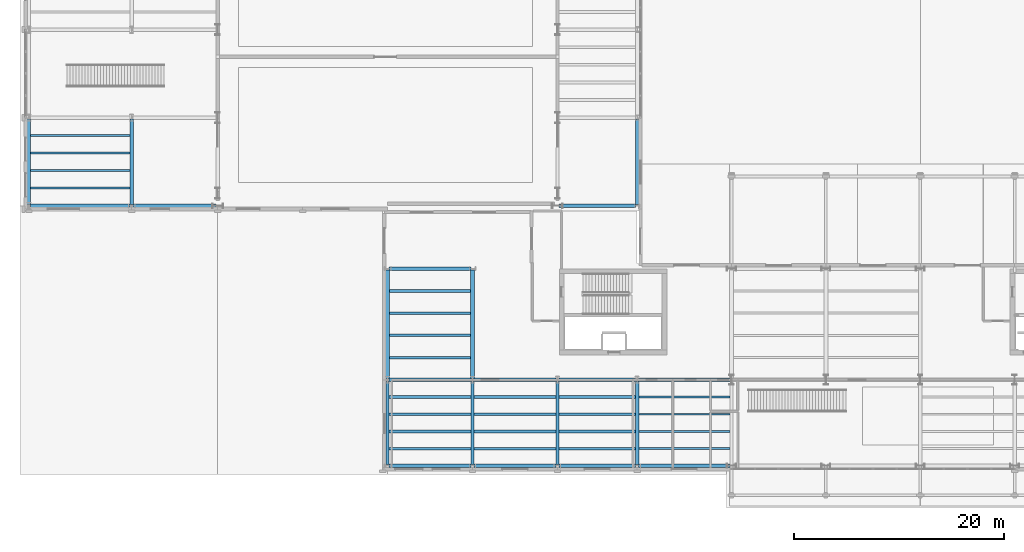
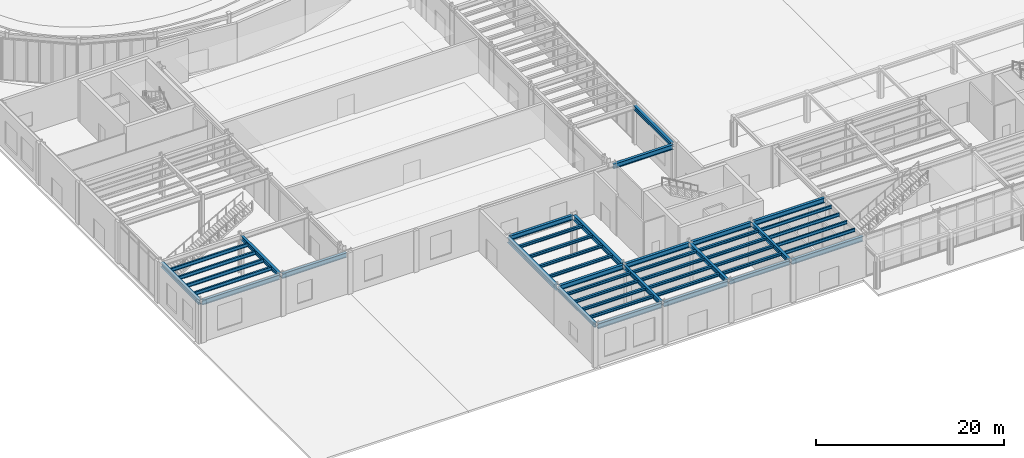
# One storey, part 16 of 94: 45 beams.
"""IFC4 building model written with IfcOpenShell, lengths in metres."""

import ifcopenshell
import ifcopenshell.guid

model = None  # the IFC model being written
_history = None  # IfcOwnerHistory: only IFC2X3 demands one
_inside = {}  # id of a spatial element -> (the spatial element, [elements in it])
_under = {}  # id of a project, library or spatial element -> (it, [spatial elements below it])
_declared = {}  # id of a project -> (the project, [libraries it declares])
_typed = {}  # id of a type object -> (the type object, [elements of that type])
_made_of = {}  # id of a material, layer set ... -> (it, [elements and type objects made of it])


def new_model(schema):
    """Start an empty IFC model of exactly this schema.

    Asked for "IFC4X3", IfcOpenShell would pick the latest addendum, in which some entities
    have other attributes; the version numbers below select the first issue.
    IFC2X3 requires an IfcOwnerHistory on every rooted entity: one is made here for all.
    """
    global model, _history
    if schema == "IFC4X3":
        model = ifcopenshell.file(schema_version=(4, 3, 0, 0))
    else:
        model = ifcopenshell.file(schema=schema)
    _inside.clear()
    _under.clear()
    _declared.clear()
    _typed.clear()
    _made_of.clear()
    _history = None
    if model.schema == "IFC2X3":
        org = make("IfcOrganization", Name="unknown")
        user = make(
            "IfcPersonAndOrganization",
            ThePerson=make("IfcPerson", FamilyName="unknown"),
            TheOrganization=org,
        )
        app = make(
            "IfcApplication",
            ApplicationDeveloper=org,
            Version="unknown",
            ApplicationFullName="unknown",
            ApplicationIdentifier="unknown",
        )
        _history = make(
            "IfcOwnerHistory",
            OwningUser=user,
            OwningApplication=app,
            ChangeAction="ADDED",
            CreationDate=0,
        )
    return model


def make(cls, **values):
    """One entity of the class cls with the attributes given. An attribute that is None is left unset."""
    return model.create_entity(
        cls, **{name: value for name, value in values.items() if value is not None}
    )


def rooted(cls, **values):
    """An entity with a GlobalId (a new one), such as an element, a storey or a relation."""
    return make(cls, GlobalId=ifcopenshell.guid.new(), OwnerHistory=_history, **values)


def si_unit(unit_type, name, prefix=None):
    """IfcSIUnit, for example si_unit("LENGTHUNIT", "METRE", prefix="MILLI")."""
    return make("IfcSIUnit", UnitType=unit_type, Prefix=prefix, Name=name)


def assignment(units):
    """IfcUnitAssignment: the units of a project."""
    return None if units is None else make("IfcUnitAssignment", Units=units)


def point(xyz):
    """IfcCartesianPoint."""
    return None if xyz is None else make("IfcCartesianPoint", Coordinates=xyz)


def direction(xyz):
    """IfcDirection."""
    return None if xyz is None else make("IfcDirection", DirectionRatios=xyz)


def frame(location, z_axis=None, x_axis=None):
    """IfcAxis2Placement3D, a coordinate frame: its origin and axes. An axis left out is left unset."""
    return make(
        "IfcAxis2Placement3D",
        Location=point(location),
        Axis=direction(z_axis),
        RefDirection=direction(x_axis),
    )


def frame_2d(location, x_axis=None):
    """IfcAxis2Placement2D, a coordinate frame in the plane: its origin and x axis."""
    return make(
        "IfcAxis2Placement2D", Location=point(location), RefDirection=direction(x_axis)
    )


def origin():
    """The frame at (0, 0, 0) with its axes left unset."""
    return frame((0.0, 0.0, 0.0))


def origin_2d():
    """The frame at (0, 0) in the plane with its x axis left unset."""
    return frame_2d((0.0, 0.0))


def place(relative_to, where):
    """IfcLocalPlacement: puts the frame where relative to a parent placement (None: the world)."""
    return make(
        "IfcLocalPlacement", PlacementRelTo=relative_to, RelativePlacement=where
    )


def context(
    kind, dimensions, precision=None, world=None, true_north=None, identifier=None
):
    """IfcGeometricRepresentationContext, for example the 3D "Model" context."""
    return make(
        "IfcGeometricRepresentationContext",
        ContextIdentifier=identifier,
        ContextType=kind,
        CoordinateSpaceDimension=dimensions,
        Precision=precision,
        WorldCoordinateSystem=world,
        TrueNorth=true_north,
    )


def subcontext(parent, identifier, kind, view, scale=None):
    """IfcGeometricRepresentationSubContext, for example "Body" below "Model"."""
    return make(
        "IfcGeometricRepresentationSubContext",
        ContextIdentifier=identifier,
        ContextType=kind,
        ParentContext=parent,
        TargetScale=scale,
        TargetView=view,
    )


def project(units=None, contexts=None):
    """IfcProject with its units and contexts."""
    return rooted(
        "IfcProject",
        Name="project",
        RepresentationContexts=contexts,
        UnitsInContext=assignment(units),
    )


def spatial(cls, under=None, at=None, **own):
    """A site, building, storey or space (cls), placed at a placement, below another one or the project."""
    s = rooted(cls, ObjectPlacement=at, **own)
    if under is not None:
        _under.setdefault(under.id(), (under, []))[1].append(s)
    return s


def profile(cls, at=None, kind="AREA", **sizes):
    """A parametric profile (cls). Its sizes go by their IFC names, for example OverallWidth=200.0."""
    return make(cls, ProfileType=kind, Position=at, **sizes)


def i_section(**sizes):
    """IfcIShapeProfileDef."""
    return profile("IfcIShapeProfileDef", **sizes)


def extrude(swept, where, along, depth):
    """IfcExtrudedAreaSolid: the profile swept, set in the frame where, extruded along a direction by depth."""
    return make(
        "IfcExtrudedAreaSolid",
        SweptArea=swept,
        Position=where,
        ExtrudedDirection=direction(along),
        Depth=depth,
    )


def shape(context_of_items, identifier, shape_type, items):
    """IfcShapeRepresentation: the items that make up one representation, for example the "Body"."""
    return make(
        "IfcShapeRepresentation",
        ContextOfItems=context_of_items,
        RepresentationIdentifier=identifier,
        RepresentationType=shape_type,
        Items=items,
    )


def material(Name=None, Category=None):
    """IfcMaterial."""
    return make("IfcMaterial", Name=Name, Category=Category)


def material_profile(
    of_material, cross_section, Name=None, Category=None, Priority=None
):
    """IfcMaterialProfile: a cross section and its material."""
    return make(
        "IfcMaterialProfile",
        Name=Name,
        Material=of_material,
        Profile=cross_section,
        Priority=Priority,
        Category=Category,
    )


def profile_set(profiles, Name=None, composite=None):
    """IfcMaterialProfileSet."""
    return make(
        "IfcMaterialProfileSet",
        Name=Name,
        MaterialProfiles=profiles,
        CompositeProfile=composite,
    )


def made_of(thing, what):
    """Note that an element or type object is made of a material, layer set ...; save() writes the relation."""
    if what is not None:
        _made_of.setdefault(what.id(), (what, []))[1].append(thing)
    return thing


def type_object(cls, material=None, **own):
    """A type object (cls), such as IfcWallType, which elements share."""
    return made_of(rooted(cls, **own), material)


def element(
    cls,
    number,
    at=None,
    inside=None,
    cuts=None,
    type_object=None,
    material=None,
    context=None,
    identifier="Body",
    shape_type=None,
    held_by="IfcProductDefinitionShape",
    body=None,
    shapes=None,
    **own,
):
    """One element of the class cls, such as IfcWall. Its Tag is "e" and its number.

    at: its placement. inside: the storey or other place that contains it. cuts: it is an
    opening in that element (IfcRelVoidsElement). A single representation is given by context,
    identifier, shape_type and body (its items); several are given by shapes. held_by: the class
    of the entity that holds the representations. save() writes the other relations.
    """
    e = rooted(cls, Tag="e%d" % number, ObjectPlacement=at, **own)
    if body is not None:
        shapes = [shape(context, identifier, shape_type, body)]
    if shapes is not None:
        e.Representation = make(held_by, Representations=shapes)
    if inside is not None:
        _inside.setdefault(inside.id(), (inside, []))[1].append(e)
    if cuts is not None:
        rooted(
            "IfcRelVoidsElement", RelatingBuildingElement=cuts, RelatedOpeningElement=e
        )
    if type_object is not None:
        _typed.setdefault(type_object.id(), (type_object, []))[1].append(e)
    return made_of(e, material)


def aggregate(whole, parts):
    """IfcRelAggregates: a whole, such as a stair, and the parts it consists of."""
    return rooted("IfcRelAggregates", RelatingObject=whole, RelatedObjects=parts)


def save(model, path):
    """Write the relations noted so far, then the file.

    IfcRelAggregates (storeys below a building ...), IfcRelContainedInSpatialStructure (elements
    in a storey), IfcRelDefinesByType, IfcRelAssociatesMaterial and IfcRelDeclares: one each for
    every whole, place, type object, material and project.
    """
    for whole, parts in _under.values():
        aggregate(whole, parts)
    for where, things in _inside.values():
        rooted(
            "IfcRelContainedInSpatialStructure",
            RelatedElements=things,
            RelatingStructure=where,
        )
    for kind, things in _typed.values():
        rooted("IfcRelDefinesByType", RelatedObjects=things, RelatingType=kind)
    for what, things in _made_of.values():
        rooted("IfcRelAssociatesMaterial", RelatedObjects=things, RelatingMaterial=what)
    for by, libraries in _declared.values():
        rooted("IfcRelDeclares", RelatingContext=by, RelatedDefinitions=libraries)
    model.write(path)


model = new_model("IFC4")

# Units and contexts
model_context = context("Model", 3, precision=1e-05, world=origin(), true_north=direction((0.0, 1.0)))
body_context = subcontext(model_context, "Body", "Model", "MODEL_VIEW")
ifc_project = project(units=[si_unit("LENGTHUNIT", "METRE"), si_unit("AREAUNIT", "SQUARE_METRE"), si_unit("VOLUMEUNIT", "CUBIC_METRE"), si_unit("PLANEANGLEUNIT", "RADIAN"), si_unit("MASSUNIT", "GRAM", prefix="KILO")], contexts=[model_context])

# Site, building, storey
site_placement = place(None, origin())
site = spatial("IfcSite", under=ifc_project, at=site_placement, CompositionType="ELEMENT")
building_placement = place(site_placement, origin())
building = spatial("IfcBuilding", under=site, at=building_placement, Name="Sollismere Congress Hotel", CompositionType="ELEMENT")
storey_placement = place(building_placement, origin())
storey = spatial("IfcBuildingStorey", under=building, at=storey_placement, Name="L00", CompositionType="ELEMENT", Elevation=0.0)

# Beams
ifc_material = material(Name="Steel ASTM A992 Grade 50", Category="steel")
ifc_material_profile_1 = material_profile(ifc_material, i_section(OverallWidth=0.31494140625, OverallDepth=0.551025390625, WebThickness=0.01513671875, FlangeThickness=0.0244140625, at=origin_2d()), Name="W21X122")
ifc_profile_set_1 = profile_set([ifc_material_profile_1], Name="Steel ASTM A992 Grade 50")
beam_type_1 = type_object("IfcBeamType", Name="BM-G21H", PredefinedType="BEAM", material=ifc_profile_set_1)
beam_1_placement = place(storey_placement, frame((9.800048828125, 24.93994140625, 4.839599609375), z_axis=(0.0, 1.0, 0.0), x_axis=(-1.0, 0.0, 0.0)))
element("IfcBeam", 1, at=beam_1_placement, inside=storey, type_object=beam_type_1, Name="Beam BM-L00-1228", PredefinedType="BEAM", context=body_context, shape_type="SweptSolid", body=[
    extrude(i_section(OverallWidth=0.31494140625, OverallDepth=0.551025390625, WebThickness=0.01513671875, FlangeThickness=0.0244140625, at=origin_2d()), origin(), (0.0, 0.0, 1.0), 8.1201171875),
])
for number, where, z_axis, x_axis, name in (
    (2, (34.199951171875, 0.139892578125, 4.839599609375), (0.0, 1.0, 0.0), (-1.0, 0.0, 0.0), "Beam BM-L00-1234"),
    (3, (42.300048828125, 0.139892578125, 4.839599609375), (0.0, 1.0, 0.0), (-1.0, 0.0, 0.0), "Beam BM-L00-1236"),
    (4, (50.39990234375, 0.139892578125, 4.839599609375), (0.0, 1.0, 0.0), (-1.0, 0.0, 0.0), "Beam BM-L00-1238"),
    (5, (58.0, 0.139892578125, 4.839599609375), (0.0, 1.0, 0.0), (-1.0, 0.0, 0.0), "Beam BM-L00-1245"),
):
    element("IfcBeam", number, at=place(storey_placement, frame(where, z_axis=z_axis, x_axis=x_axis)), inside=storey, type_object=beam_type_1, Name=name, PredefinedType="BEAM", context=body_context, shape_type="SweptSolid", body=[
        extrude(i_section(OverallWidth=0.31494140625, OverallDepth=0.551025390625, WebThickness=0.01513671875, FlangeThickness=0.0244140625, at=origin_2d()), origin(), (0.0, 0.0, 1.0), 7.920166015625),
    ])
beam_2_placement = place(storey_placement, frame((58.0, 24.93994140625, 4.839599609375), z_axis=(0.0, 1.0, 0.0), x_axis=(-1.0, 0.0, 0.0)))
element("IfcBeam", 6, at=beam_2_placement, inside=storey, type_object=beam_type_1, Name="Beam BM-L00-1246", PredefinedType="BEAM", context=body_context, shape_type="SweptSolid", body=[
    extrude(i_section(OverallWidth=0.31494140625, OverallDepth=0.551025390625, WebThickness=0.01513671875, FlangeThickness=0.0244140625, at=origin_2d()), origin(), (0.0, 0.0, 1.0), 8.1201171875),
])
ifc_material_profile_2 = material_profile(ifc_material, i_section(OverallWidth=0.324951171875, OverallDepth=0.612060546875, WebThickness=0.0126953125, FlangeThickness=0.01904296875, at=origin_2d()), Name="W24X104")
ifc_profile_set_2 = profile_set([ifc_material_profile_2], Name="Steel ASTM A992 Grade 50")
beam_type_2 = type_object("IfcBeamType", Name="BM-G24", PredefinedType="BEAM", material=ifc_profile_set_2)
beam_3_placement = place(storey_placement, frame((34.340087890625, 8.199951171875, 4.80908203125), z_axis=(1.0, 0.0, 0.0), x_axis=(0.0, 1.0, 0.0)))
element("IfcBeam", 7, at=beam_3_placement, inside=storey, type_object=beam_type_2, Name="Beam BM-L00-1138", PredefinedType="BEAM", context=body_context, shape_type="SweptSolid", body=[
    extrude(i_section(OverallWidth=0.324951171875, OverallDepth=0.612060546875, WebThickness=0.0126953125, FlangeThickness=0.01904296875, at=origin_2d()), origin(), (0.0, 0.0, 1.0), 7.81982421875),
])
beam_4_placement = place(storey_placement, frame((42.43994140625, 8.199951171875, 4.80908203125), z_axis=(1.0, 0.0, 0.0), x_axis=(0.0, 1.0, 0.0)))
element("IfcBeam", 8, at=beam_4_placement, inside=storey, type_object=beam_type_2, Name="Beam BM-L00-1139", PredefinedType="BEAM", context=body_context, shape_type="SweptSolid", body=[
    extrude(i_section(OverallWidth=0.324951171875, OverallDepth=0.612060546875, WebThickness=0.0126953125, FlangeThickness=0.01904296875, at=origin_2d()), origin(), (0.0, 0.0, 1.0), 7.820068359375),
])
beam_5_placement = place(storey_placement, frame((50.5400390625, 8.199951171875, 4.80908203125), z_axis=(1.0, 0.0, 0.0), x_axis=(0.0, 1.0, 0.0)))
element("IfcBeam", 9, at=beam_5_placement, inside=storey, type_object=beam_type_2, Name="Beam BM-L00-1140", PredefinedType="BEAM", context=body_context, shape_type="SweptSolid", body=[
    extrude(i_section(OverallWidth=0.324951171875, OverallDepth=0.612060546875, WebThickness=0.0126953125, FlangeThickness=0.01904296875, at=origin_2d()), origin(), (0.0, 0.0, 1.0), 7.320068359375),
])
beam_6_placement = place(storey_placement, frame((58.139892578125, 8.199951171875, 4.80908203125), z_axis=(1.0, 0.0, 0.0), x_axis=(0.0, 1.0, 0.0)))
element("IfcBeam", 10, at=beam_6_placement, inside=storey, type_object=beam_type_2, Name="Beam BM-L00-1141", PredefinedType="BEAM", context=body_context, shape_type="SweptSolid", body=[
    extrude(i_section(OverallWidth=0.324951171875, OverallDepth=0.612060546875, WebThickness=0.0126953125, FlangeThickness=0.01904296875, at=origin_2d()), origin(), (0.0, 0.0, 1.0), 8.72021484375),
])
beam_7_placement = place(storey_placement, frame((34.340087890625, 18.800048828125, 4.80908203125), z_axis=(1.0, 0.0, 0.0), x_axis=(0.0, 1.0, 0.0)))
element("IfcBeam", 11, at=beam_7_placement, inside=storey, type_object=beam_type_2, Name="Beam BM-L00-1152", PredefinedType="BEAM", context=body_context, shape_type="SweptSolid", body=[
    extrude(i_section(OverallWidth=0.324951171875, OverallDepth=0.612060546875, WebThickness=0.0126953125, FlangeThickness=0.01904296875, at=origin_2d()), origin(), (0.0, 0.0, 1.0), 7.81982421875),
])
beam_8_placement = place(storey_placement, frame((0.139892578125, 24.800048828125, 4.80908203125), z_axis=(1.0, 0.0, 0.0), x_axis=(0.0, 1.0, 0.0)))
element("IfcBeam", 12, at=beam_8_placement, inside=storey, type_object=beam_type_2, Name="Beam BM-L00-1157", PredefinedType="BEAM", context=body_context, shape_type="SweptSolid", body=[
    extrude(i_section(OverallWidth=0.324951171875, OverallDepth=0.612060546875, WebThickness=0.0126953125, FlangeThickness=0.01904296875, at=origin_2d()), origin(), (0.0, 0.0, 1.0), 9.52001953125),
])
beam_9_placement = place(storey_placement, frame((9.93994140625, 24.800048828125, 4.80908203125), z_axis=(1.0, 0.0, 0.0), x_axis=(0.0, 1.0, 0.0)))
element("IfcBeam", 13, at=beam_9_placement, inside=storey, type_object=beam_type_2, Name="Beam BM-L00-1158", PredefinedType="BEAM", context=body_context, shape_type="SweptSolid", body=[
    extrude(i_section(OverallWidth=0.324951171875, OverallDepth=0.612060546875, WebThickness=0.0126953125, FlangeThickness=0.01904296875, at=origin_2d()), origin(), (0.0, 0.0, 1.0), 7.920166015625),
])
beam_10_placement = place(storey_placement, frame((50.5400390625, 24.800048828125, 4.80908203125), z_axis=(1.0, 0.0, 0.0), x_axis=(0.0, 1.0, 0.0)))
element("IfcBeam", 14, at=beam_10_placement, inside=storey, type_object=beam_type_2, Name="Beam BM-L00-1159", PredefinedType="BEAM", context=body_context, shape_type="SweptSolid", body=[
    extrude(i_section(OverallWidth=0.324951171875, OverallDepth=0.612060546875, WebThickness=0.0126953125, FlangeThickness=0.01904296875, at=origin_2d()), origin(), (0.0, 0.0, 1.0), 7.320068359375),
])
ifc_material_profile_3 = material_profile(ifc_material, i_section(OverallWidth=0.35595703125, OverallDepth=0.696044921875, WebThickness=0.015380859375, FlangeThickness=0.025146484375, at=origin_2d()), Name="W27X146")
ifc_profile_set_3 = profile_set([ifc_material_profile_3], Name="Steel ASTM A992 Grade 50")
beam_type_3 = type_object("IfcBeamType", Name="BM-G27", PredefinedType="BEAM", material=ifc_profile_set_3)
for number, where, z_axis, x_axis, name in (
    (15, (34.199951171875, 8.340087890625, 4.76708984375), (0.0, 1.0, 0.0), (-1.0, 0.0, 0.0), "Beam BM-L00-1235"),
    (16, (42.300048828125, 8.340087890625, 4.76708984375), (0.0, 1.0, 0.0), (-1.0, 0.0, 0.0), "Beam BM-L00-1237"),
):
    element("IfcBeam", number, at=place(storey_placement, frame(where, z_axis=z_axis, x_axis=x_axis)), inside=storey, type_object=beam_type_3, Name=name, PredefinedType="BEAM", context=body_context, shape_type="SweptSolid", body=[
        extrude(i_section(OverallWidth=0.35595703125, OverallDepth=0.696044921875, WebThickness=0.015380859375, FlangeThickness=0.025146484375, at=origin_2d()), origin(), (0.0, 0.0, 1.0), 10.31982421875),
    ])
ifc_material_profile_4 = material_profile(ifc_material, i_section(OverallWidth=0.25390625, OverallDepth=0.35595703125, WebThickness=0.010498046875, FlangeThickness=0.018310546875, at=origin_2d()), Name="W14X68")
ifc_profile_set_4 = profile_set([ifc_material_profile_4], Name="Steel ASTM A992 Grade 50")
beam_type_4 = type_object("IfcBeamType", Name="BM-J14", PredefinedType="JOIST", material=ifc_profile_set_4)
for number, where, z_axis, x_axis, name in (
    (17, (34.357421875, 1.639892578125, 4.93701171875), (1.0, 0.0, 0.0), (0.0, 1.0, 0.0), "Beam BM-L00-1329"),
    (18, (34.357421875, 3.280029296875, 4.93701171875), (1.0, 0.0, 0.0), (0.0, 1.0, 0.0), "Beam BM-L00-1330"),
    (19, (34.357421875, 4.919921875, 4.93701171875), (1.0, 0.0, 0.0), (0.0, 1.0, 0.0), "Beam BM-L00-1331"),
    (20, (34.357421875, 6.56005859375, 4.93701171875), (1.0, 0.0, 0.0), (0.0, 1.0, 0.0), "Beam BM-L00-1332"),
):
    element("IfcBeam", number, at=place(storey_placement, frame(where, z_axis=z_axis, x_axis=x_axis)), inside=storey, type_object=beam_type_4, Name=name, PredefinedType="JOIST", context=body_context, shape_type="SweptSolid", body=[
        extrude(i_section(OverallWidth=0.25390625, OverallDepth=0.35595703125, WebThickness=0.010498046875, FlangeThickness=0.018310546875, at=origin_2d()), origin(), (0.0, 0.0, 1.0), 7.78515625),
    ])
for number, where, z_axis, x_axis, name in (
    (21, (34.3779296875, 10.320068359375, 4.93701171875), (1.0, 0.0, 0.0), (0.0, 1.0, 0.0), "Beam BM-L00-1333"),
    (22, (34.3779296875, 12.43994140625, 4.93701171875), (1.0, 0.0, 0.0), (0.0, 1.0, 0.0), "Beam BM-L00-1334"),
    (23, (34.3779296875, 14.56005859375, 4.93701171875), (1.0, 0.0, 0.0), (0.0, 1.0, 0.0), "Beam BM-L00-1335"),
    (24, (34.3779296875, 16.679931640625, 4.93701171875), (1.0, 0.0, 0.0), (0.0, 1.0, 0.0), "Beam BM-L00-1336"),
):
    element("IfcBeam", number, at=place(storey_placement, frame(where, z_axis=z_axis, x_axis=x_axis)), inside=storey, type_object=beam_type_4, Name=name, PredefinedType="JOIST", context=body_context, shape_type="SweptSolid", body=[
        extrude(i_section(OverallWidth=0.25390625, OverallDepth=0.35595703125, WebThickness=0.010498046875, FlangeThickness=0.018310546875, at=origin_2d()), origin(), (0.0, 0.0, 1.0), 7.744140625),
    ])
for number, where, z_axis, x_axis, name in (
    (25, (42.45751953125, 1.639892578125, 4.93701171875), (1.0, 0.0, 0.0), (0.0, 1.0, 0.0), "Beam BM-L00-1337"),
    (26, (42.45751953125, 3.280029296875, 4.93701171875), (1.0, 0.0, 0.0), (0.0, 1.0, 0.0), "Beam BM-L00-1338"),
    (27, (42.45751953125, 4.919921875, 4.93701171875), (1.0, 0.0, 0.0), (0.0, 1.0, 0.0), "Beam BM-L00-1339"),
    (28, (42.45751953125, 6.56005859375, 4.93701171875), (1.0, 0.0, 0.0), (0.0, 1.0, 0.0), "Beam BM-L00-1340"),
):
    element("IfcBeam", number, at=place(storey_placement, frame(where, z_axis=z_axis, x_axis=x_axis)), inside=storey, type_object=beam_type_4, Name=name, PredefinedType="JOIST", context=body_context, shape_type="SweptSolid", body=[
        extrude(i_section(OverallWidth=0.25390625, OverallDepth=0.35595703125, WebThickness=0.010498046875, FlangeThickness=0.018310546875, at=origin_2d()), origin(), (0.0, 0.0, 1.0), 7.784912109375),
    ])
for number, where, z_axis, x_axis, name in (
    (29, (50.5576171875, 1.639892578125, 4.93701171875), (1.0, 0.0, 0.0), (0.0, 1.0, 0.0), "Beam BM-L00-1341"),
    (30, (50.5576171875, 3.280029296875, 4.93701171875), (1.0, 0.0, 0.0), (0.0, 1.0, 0.0), "Beam BM-L00-1342"),
    (31, (50.5576171875, 4.919921875, 4.93701171875), (1.0, 0.0, 0.0), (0.0, 1.0, 0.0), "Beam BM-L00-1343"),
    (32, (50.5576171875, 6.56005859375, 4.93701171875), (1.0, 0.0, 0.0), (0.0, 1.0, 0.0), "Beam BM-L00-1344"),
):
    element("IfcBeam", number, at=place(storey_placement, frame(where, z_axis=z_axis, x_axis=x_axis)), inside=storey, type_object=beam_type_4, Name=name, PredefinedType="JOIST", context=body_context, shape_type="SweptSolid", body=[
        extrude(i_section(OverallWidth=0.25390625, OverallDepth=0.35595703125, WebThickness=0.010498046875, FlangeThickness=0.018310546875, at=origin_2d()), origin(), (0.0, 0.0, 1.0), 7.284912109375),
    ])
ifc_material_profile_5 = material_profile(ifc_material, i_section(OverallWidth=0.180908203125, OverallDepth=0.4169921875, WebThickness=0.010986328125, FlangeThickness=0.018310546875, at=origin_2d()), Name="W16X57")
ifc_profile_set_5 = profile_set([ifc_material_profile_5], Name="Steel ASTM A992 Grade 50")
beam_type_5 = type_object("IfcBeamType", Name="BM-J16", PredefinedType="JOIST", material=ifc_profile_set_5)
for number, where, z_axis, x_axis, name in (
    (33, (58.157470703125, 1.639892578125, 4.906494140625), (1.0, 0.0, 0.0), (0.0, 1.0, 0.0), "Beam BM-L00-1357"),
    (34, (58.157470703125, 3.280029296875, 4.906494140625), (1.0, 0.0, 0.0), (0.0, 1.0, 0.0), "Beam BM-L00-1358"),
    (35, (58.157470703125, 4.919921875, 4.906494140625), (1.0, 0.0, 0.0), (0.0, 1.0, 0.0), "Beam BM-L00-1359"),
    (36, (58.157470703125, 6.56005859375, 4.906494140625), (1.0, 0.0, 0.0), (0.0, 1.0, 0.0), "Beam BM-L00-1360"),
):
    element("IfcBeam", number, at=place(storey_placement, frame(where, z_axis=z_axis, x_axis=x_axis)), inside=storey, type_object=beam_type_5, Name=name, PredefinedType="JOIST", context=body_context, shape_type="SweptSolid", body=[
        extrude(i_section(OverallWidth=0.180908203125, OverallDepth=0.4169921875, WebThickness=0.010986328125, FlangeThickness=0.018310546875, at=origin_2d()), origin(), (0.0, 0.0, 1.0), 8.68505859375),
    ])
ifc_material_profile_6 = material_profile(ifc_material, i_section(OverallWidth=0.193115234375, OverallDepth=0.467041015625, WebThickness=0.011474609375, FlangeThickness=0.01904296875, at=origin_2d()), Name="W18X65")
ifc_profile_set_6 = profile_set([ifc_material_profile_6], Name="Steel ASTM A992 Grade 50")
beam_type_6 = type_object("IfcBeamType", Name="BM-J18", PredefinedType="JOIST", material=ifc_profile_set_6)
for number, where, z_axis, x_axis, name in (
    (37, (0.1650390625, 26.47998046875, 4.881591796875), (1.0, 0.0, 0.0), (0.0, 1.0, 0.0), "Beam BM-L00-1317"),
    (38, (0.1650390625, 28.159912109375, 4.881591796875), (1.0, 0.0, 0.0), (0.0, 1.0, 0.0), "Beam BM-L00-1318"),
    (39, (0.1650390625, 29.840087890625, 4.881591796875), (1.0, 0.0, 0.0), (0.0, 1.0, 0.0), "Beam BM-L00-1319"),
    (40, (0.1650390625, 31.52001953125, 4.881591796875), (1.0, 0.0, 0.0), (0.0, 1.0, 0.0), "Beam BM-L00-1320"),
):
    element("IfcBeam", number, at=place(storey_placement, frame(where, z_axis=z_axis, x_axis=x_axis)), inside=storey, type_object=beam_type_6, Name=name, PredefinedType="JOIST", context=body_context, shape_type="SweptSolid", body=[
        extrude(i_section(OverallWidth=0.193115234375, OverallDepth=0.467041015625, WebThickness=0.011474609375, FlangeThickness=0.01904296875, at=origin_2d()), origin(), (0.0, 0.0, 1.0), 9.4775390625),
    ])
ifc_material_profile_7 = material_profile(ifc_material, i_section(OverallWidth=0.31494140625, OverallDepth=0.551025390625, WebThickness=0.01513671875, FlangeThickness=0.0244140625, at=origin_2d()), Name="W21X122")
ifc_profile_set_7 = profile_set([ifc_material_profile_7], Name="Steel ASTM A992 Grade 50")
beam_type_7 = type_object("IfcBeamType", Name="BM-SP21E", PredefinedType="SPANDREL", material=ifc_profile_set_7)
beam_11_placement = place(storey_placement, frame((50.5400390625, 0.0, 4.839599609375), z_axis=(1.0, 0.0, 0.0), x_axis=(0.0, 1.0, 0.0)))
element("IfcBeam", 41, at=beam_11_placement, inside=storey, type_object=beam_type_7, Name="Beam BM-L00-1126", PredefinedType="SPANDREL", context=body_context, shape_type="SweptSolid", body=[
    extrude(i_section(OverallWidth=0.31494140625, OverallDepth=0.551025390625, WebThickness=0.01513671875, FlangeThickness=0.0244140625, at=origin_2d()), origin(), (0.0, 0.0, 1.0), 7.320068359375),
])
ifc_material_profile_8 = material_profile(ifc_material, i_section(OverallWidth=0.330078125, OverallDepth=0.635009765625, WebThickness=0.017822265625, FlangeThickness=0.031005859375, at=origin_2d()), Name="W24X162")
ifc_profile_set_8 = profile_set([ifc_material_profile_8], Name="Steel ASTM A992 Grade 50")
beam_type_8 = type_object("IfcBeamType", Name="BM-SP24E", PredefinedType="SPANDREL", material=ifc_profile_set_8)
beam_12_placement = place(storey_placement, frame((34.340087890625, 0.0, 4.797607421875), z_axis=(1.0, 0.0, 0.0), x_axis=(0.0, 1.0, 0.0)))
element("IfcBeam", 42, at=beam_12_placement, inside=storey, type_object=beam_type_8, Name="Beam BM-L00-1124", PredefinedType="SPANDREL", context=body_context, shape_type="SweptSolid", body=[
    extrude(i_section(OverallWidth=0.330078125, OverallDepth=0.635009765625, WebThickness=0.017822265625, FlangeThickness=0.031005859375, at=origin_2d()), origin(), (0.0, 0.0, 1.0), 7.81982421875),
])
beam_13_placement = place(storey_placement, frame((42.43994140625, 0.0, 4.797607421875), z_axis=(1.0, 0.0, 0.0), x_axis=(0.0, 1.0, 0.0)))
element("IfcBeam", 43, at=beam_13_placement, inside=storey, type_object=beam_type_8, Name="Beam BM-L00-1125", PredefinedType="SPANDREL", context=body_context, shape_type="SweptSolid", body=[
    extrude(i_section(OverallWidth=0.330078125, OverallDepth=0.635009765625, WebThickness=0.017822265625, FlangeThickness=0.031005859375, at=origin_2d()), origin(), (0.0, 0.0, 1.0), 7.820068359375),
])
beam_14_placement = place(storey_placement, frame((58.139892578125, 0.0, 4.797607421875), z_axis=(1.0, 0.0, 0.0), x_axis=(0.0, 1.0, 0.0)))
element("IfcBeam", 44, at=beam_14_placement, inside=storey, type_object=beam_type_8, Name="Beam BM-L00-1127", PredefinedType="SPANDREL", context=body_context, shape_type="SweptSolid", body=[
    extrude(i_section(OverallWidth=0.330078125, OverallDepth=0.635009765625, WebThickness=0.017822265625, FlangeThickness=0.031005859375, at=origin_2d()), origin(), (0.0, 0.0, 1.0), 8.72021484375),
])
beam_15_placement = place(storey_placement, frame((0.0, 24.93994140625, 4.797607421875), z_axis=(0.0, 1.0, 0.0), x_axis=(-1.0, 0.0, 0.0)))
element("IfcBeam", 45, at=beam_15_placement, inside=storey, type_object=beam_type_8, Name="Beam BM-L00-1223", PredefinedType="SPANDREL", context=body_context, shape_type="SweptSolid", body=[
    extrude(i_section(OverallWidth=0.330078125, OverallDepth=0.635009765625, WebThickness=0.017822265625, FlangeThickness=0.031005859375, at=origin_2d()), origin(), (0.0, 0.0, 1.0), 8.1201171875),
])

save(model, "model.ifc")
